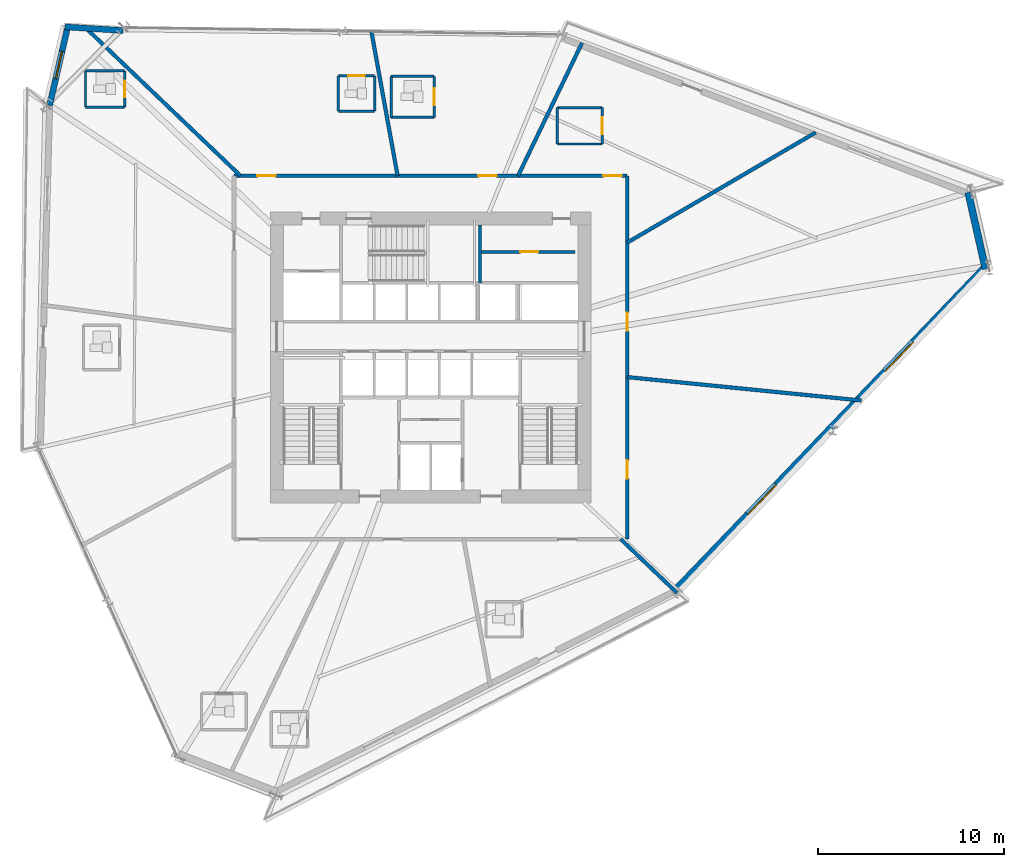
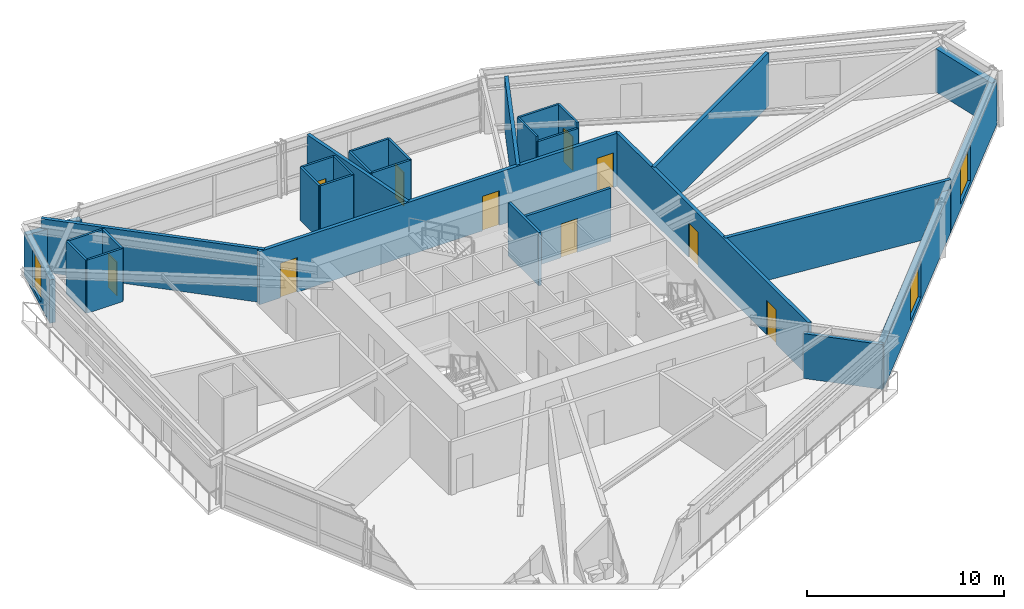
# One storey, part 16 of 22: 30 walls, 10 doors, 3 windows, 13 openings.
"""IFC4 building model written with IfcOpenShell, lengths in metres."""

from ifc_helpers import new_model, si_unit, direction, frame, frame_2d, origin, place, context, subcontext, project, spatial, rectangle, extrude, source, transform, mapped, material, layer, layer_set, type_object, type_shapes, element, fill, save


model = new_model("IFC4")

# Units and contexts
model_context = context("Model", 3, precision=1e-05, world=origin(), true_north=direction((0.0, 1.0)))
body_context = subcontext(model_context, "Body", "Model", "MODEL_VIEW")
ifc_project = project(units=[si_unit("LENGTHUNIT", "METRE"), si_unit("AREAUNIT", "SQUARE_METRE"), si_unit("VOLUMEUNIT", "CUBIC_METRE"), si_unit("PLANEANGLEUNIT", "RADIAN"), si_unit("MASSUNIT", "GRAM", prefix="KILO")], contexts=[model_context])

# Site, building, storey
site_placement = place(None, origin())
site = spatial("IfcSite", under=ifc_project, at=site_placement, CompositionType="ELEMENT")
building_placement = place(site_placement, origin())
building = spatial("IfcBuilding", under=site, at=building_placement, Name="Olszyna Solenne Hotel", CompositionType="ELEMENT")
storey_placement = place(building_placement, frame((0.0, 0.0, 87.949951171875)))
storey = spatial("IfcBuildingStorey", under=building, at=storey_placement, Name="L22", CompositionType="ELEMENT", Elevation=87.949951171875)

# Wall, opening, window
ifc_material_1 = material(Name="Precast concrete C45/55", Category="concrete")
ifc_layer_1 = layer(ifc_material_1, 0.320068359375, Name="Precast concrete C45/55")
ifc_layer_set_1 = layer_set([ifc_layer_1], Name="Precast concrete C45/55")
wall_type_1 = type_object("IfcWallType", Name="WL-EX320", PredefinedType="SOLIDWALL", material=ifc_layer_set_1)
wall_1_placement = place(storey_placement, frame((17.552001953125, 40.126708984375, 0.0), z_axis=(0.0, 0.0, 1.0), x_axis=(0.224138842534, 0.974557222162, 0.0)))
wall_1 = element("IfcWall", 1, at=wall_1_placement, inside=storey, type_object=wall_type_1, Name="Exterior terracotta-precast frame wall WL-EX320 EW-L22-05", PredefinedType="SOLIDWALL", context=body_context, shape_type="SweptSolid", body=[
    extrude(rectangle(XDim=4.453857421875, YDim=0.320068359375, at=frame_2d((2.22705078125, 0.0))), origin(), (0.0, 0.0, 1.0), 2.692138671875),
])
opening_1_placement = place(wall_1_placement, frame((1.47705078125, 0.0, 0.27197265625)))
opening_1 = element("IfcOpeningElement", 2, at=opening_1_placement, cuts=wall_1, Name="Opening WN-L22-117", PredefinedType="OPENING", context=body_context, shape_type="SweptSolid", body=[
    extrude(rectangle(XDim=1.5, YDim=2.300048828125, at=frame_2d((0.75, 1.14990234375))), frame((0.0, 0.169921875, 0.0), z_axis=(0.0, -1.0, 0.0), x_axis=(1.0, 0.0, 0.0)), (0.0, 0.0, 1.0), 0.340087890625),
])
ifc_material_2 = material(Name="Low-E triple glazing", Category="glass")
window_type_1 = type_object("IfcWindowType", Name="WN-CH1", PartitioningType="SINGLE_PANEL", PredefinedType="WINDOW", material=ifc_material_2)
shared_shape_1 = source(origin(), body_context, "Body", "SweptSolid", [
    extrude(rectangle(XDim=1.5, YDim=2.300048828125, at=frame_2d((0.75, 1.14990234375))), frame((0.0, 0.030029296875, 0.0), z_axis=(0.0, -1.0, 0.0), x_axis=(1.0, 0.0, 0.0)), (0.0, 0.0, 1.0), 0.06005859375),
])
type_shapes(window_type_1, [shared_shape_1])
window_1_placement = place(opening_1_placement, origin())
window_1 = element("IfcWindow", 3, at=window_1_placement, inside=storey, type_object=window_type_1, Name="Exterior facade window WN-CH1 WN-L22-117", OverallHeight=2.300048828125, OverallWidth=1.5, PartitioningType="SINGLE_PANEL", PredefinedType="WINDOW", context=body_context, shape_type="MappedRepresentation", body=[
    mapped(shared_shape_1, transform((0.0, 0.0, 0.0), x_axis=(1.0, 0.0, 0.0), y_axis=(0.0, 1.0, 0.0), z_axis=(0.0, 0.0, 1.0), scale=1.0)),
])
fill(opening_1, window_1)

# Walls
wall_2_placement = place(storey_placement, frame((18.38427734375, 44.343505859375, 0.0), z_axis=(0.0, 0.0, 1.0), x_axis=(0.997943597701, -0.064098173203, 0.0)))
element("IfcWall", 4, at=wall_2_placement, inside=storey, type_object=wall_type_1, Name="Exterior terracotta-precast frame wall WL-EX320 EW-L22-06", PredefinedType="SOLIDWALL", context=body_context, shape_type="SweptSolid", body=[
    extrude(rectangle(XDim=3.119384765625, YDim=0.320068359375, at=frame_2d((1.5595703125, 0.0))), origin(), (0.0, 0.0, 1.0), 2.692138671875),
])
ifc_material_3 = material(Name="Terracotta cladding on precast concrete C45/55", Category="masonry")
ifc_layer_2 = layer(ifc_material_3, 0.3798828125, Name="Terracotta cladding on precast concrete C45/55")
ifc_layer_set_2 = layer_set([ifc_layer_2], Name="Terracotta cladding on precast concrete C45/55")
wall_type_2 = type_object("IfcWallType", Name="WL-EX380", PredefinedType="SOLIDWALL", material=ifc_layer_set_2)
wall_3_placement = place(storey_placement, frame((66.847900390625, 35.4560546875, 0.0), z_axis=(0.0, 0.0, 1.0), x_axis=(0.220711162904, -0.975339214104, 0.0)))
element("IfcWall", 5, at=wall_3_placement, inside=storey, type_object=wall_type_2, Name="Exterior terracotta-precast frame wall WL-EX380 EW-L22-09", PredefinedType="SOLIDWALL", context=body_context, shape_type="SweptSolid", body=[
    extrude(rectangle(XDim=4.2099609375, YDim=0.3798828125, at=frame_2d((2.10498046875, 0.0))), origin(), (0.0, 0.0, 1.0), 2.692138671875),
])

# Wall, openings, windows
wall_4_placement = place(storey_placement, frame((67.8251953125, 31.523193359375, 0.0), z_axis=(0.0, 0.0, 1.0), x_axis=(-0.692033359157, -0.721865520588, 0.0)))
wall_4 = element("IfcWall", 6, at=wall_4_placement, inside=storey, type_object=wall_type_2, Name="Exterior terracotta-precast frame wall WL-EX380 EW-L22-10", PredefinedType="SOLIDWALL", context=body_context, shape_type="SweptSolid", body=[
    extrude(rectangle(XDim=24.150390625, YDim=0.3798828125, at=frame_2d((12.0751953125, 0.0))), origin(), (0.0, 0.0, 1.0), 2.692138671875),
])
opening_2_placement = place(wall_4_placement, frame((5.662109375, 0.0, 0.322021484375)))
opening_2 = element("IfcOpeningElement", 7, at=opening_2_placement, cuts=wall_4, Name="Opening WN-L22-119", PredefinedType="OPENING", context=body_context, shape_type="SweptSolid", body=[
    extrude(rectangle(XDim=2.199951171875, YDim=2.25, at=frame_2d((1.10009765625, 1.125))), frame((0.0, 0.199951171875, 0.0), z_axis=(0.0, -1.0, 0.0), x_axis=(1.0, 0.0, 0.0)), (0.0, 0.0, 1.0), 0.39990234375),
])
opening_3_placement = place(wall_4_placement, frame((16.2880859375, 0.0, 0.322021484375)))
opening_3 = element("IfcOpeningElement", 8, at=opening_3_placement, cuts=wall_4, Name="Opening WN-L22-120", PredefinedType="OPENING", context=body_context, shape_type="SweptSolid", body=[
    extrude(rectangle(XDim=2.199951171875, YDim=2.25, at=frame_2d((1.10009765625, 1.125))), frame((0.0, 0.199951171875, 0.0), z_axis=(0.0, -1.0, 0.0), x_axis=(1.0, 0.0, 0.0)), (0.0, 0.0, 1.0), 0.39990234375),
])
window_type_2 = type_object("IfcWindowType", Name="WN-HT2", PartitioningType="SINGLE_PANEL", PredefinedType="WINDOW", material=ifc_material_2)
shared_shape_2 = source(origin(), body_context, "Body", "SweptSolid", [
    extrude(rectangle(XDim=2.199951171875, YDim=2.25, at=frame_2d((1.10009765625, 1.125))), frame((0.0, 0.030029296875, 0.0), z_axis=(0.0, -1.0, 0.0), x_axis=(1.0, 0.0, 0.0)), (0.0, 0.0, 1.0), 0.06005859375),
])
type_shapes(window_type_2, [shared_shape_2])
window_2_placement = place(opening_2_placement, origin())
window_2 = element("IfcWindow", 9, at=window_2_placement, inside=storey, type_object=window_type_2, Name="Exterior facade window WN-HT2 WN-L22-119", OverallHeight=2.25, OverallWidth=2.199951171875, PartitioningType="SINGLE_PANEL", PredefinedType="WINDOW", context=body_context, shape_type="MappedRepresentation", body=[
    mapped(shared_shape_2, transform((0.0, 0.0, 0.0), x_axis=(1.0, 0.0, 0.0), y_axis=(0.0, 1.0, 0.0), z_axis=(0.0, 0.0, 1.0), scale=1.0)),
])
fill(opening_2, window_2)
window_3_placement = place(opening_3_placement, origin())
window_3 = element("IfcWindow", 10, at=window_3_placement, inside=storey, type_object=window_type_2, Name="Exterior facade window WN-HT2 WN-L22-120", OverallHeight=2.25, OverallWidth=2.199951171875, PartitioningType="SINGLE_PANEL", PredefinedType="WINDOW", context=body_context, shape_type="MappedRepresentation", body=[
    mapped(shared_shape_2, transform((0.0, 0.0, 0.0), x_axis=(1.0, 0.0, 0.0), y_axis=(0.0, 1.0, 0.0), z_axis=(0.0, 0.0, 1.0), scale=1.0)),
])
fill(opening_3, window_3)

# Wall, opening, door
ifc_material_4 = material(Name="Acoustic gypsum partition", Category="gypsum")
ifc_layer_3 = layer(ifc_material_4, 0.125, Name="Acoustic gypsum partition")
ifc_layer_set_3 = layer_set([ifc_layer_3], Name="Acoustic gypsum partition")
wall_type_3 = type_object("IfcWallType", Name="WL-PT125", PredefinedType="PARTITIONING", material=ifc_layer_set_3)
wall_5_placement = place(storey_placement, frame((38.18505859375, 39.490966796875, 0.0), z_axis=(0.0, 0.0, 1.0), x_axis=(0.0, 1.0, 0.0)))
wall_5 = element("IfcWall", 11, at=wall_5_placement, inside=storey, type_object=wall_type_3, Name="Interior acoustic partition WL-PT125 PW-L22-1233", PredefinedType="PARTITIONING", context=body_context, shape_type="SweptSolid", body=[
    extrude(rectangle(XDim=2.199951171875, YDim=0.125, at=frame_2d((1.10009765625, 0.0))), origin(), (0.0, 0.0, 1.0), 3.300048828125),
])
opening_4_placement = place(wall_5_placement, frame((0.64990234375, 0.0, 0.0)))
opening_4 = element("IfcOpeningElement", 12, at=opening_4_placement, cuts=wall_5, Name="Opening DR-L22-0282", PredefinedType="OPENING", context=body_context, shape_type="SweptSolid", body=[
    extrude(rectangle(XDim=0.89990234375, YDim=2.10009765625, at=frame_2d((0.449951171875, 1.050048828125))), frame((0.0, 0.072509765625, 0.0), z_axis=(0.0, -1.0, 0.0), x_axis=(1.0, 0.0, 0.0)), (0.0, 0.0, 1.0), 0.14501953125),
])
ifc_material_5 = material(Name="Timber hardwood", Category="wood")
door_type_1 = type_object("IfcDoorType", Name="DR-WC1", OperationType="NOTDEFINED", PredefinedType="DOOR", material=ifc_material_5)
shared_shape_3 = source(origin(), body_context, "Body", "SweptSolid", [
    extrude(rectangle(XDim=0.89990234375, YDim=2.10009765625, at=frame_2d((0.449951171875, 1.050048828125))), frame((0.0, 0.02490234375, 0.0), z_axis=(0.0, -1.0, 0.0), x_axis=(1.0, 0.0, 0.0)), (0.0, 0.0, 1.0), 0.050048828125),
])
type_shapes(door_type_1, [shared_shape_3])
door_1_placement = place(opening_4_placement, origin())
door_1 = element("IfcDoor", 13, at=door_1_placement, inside=storey, type_object=door_type_1, Name="En-Suite Bathroom Door DR-L22-0282", OperationType="SINGLE_SWING_LEFT", OverallHeight=2.10009765625, OverallWidth=0.89990234375, PredefinedType="DOOR", context=body_context, shape_type="MappedRepresentation", body=[
    mapped(shared_shape_3, transform((0.0, 0.0, 0.0), x_axis=(1.0, 0.0, 0.0), y_axis=(0.0, 1.0, 0.0), z_axis=(0.0, 0.0, 1.0), scale=1.0)),
])
fill(opening_4, door_1)

# Walls
wall_6_placement = place(storey_placement, frame((38.18505859375, 41.69091796875, 0.0), z_axis=(0.0, 0.0, 1.0), x_axis=(-1.0, 0.0, 0.0)))
element("IfcWall", 14, at=wall_6_placement, inside=storey, type_object=wall_type_3, Name="Interior acoustic partition WL-PT125 PW-L22-1234", PredefinedType="PARTITIONING", context=body_context, shape_type="SweptSolid", body=[
    extrude(rectangle(XDim=2.300048828125, YDim=0.125, at=frame_2d((1.14990234375, 0.0))), origin(), (0.0, 0.0, 1.0), 3.300048828125),
])
wall_7_placement = place(storey_placement, frame((35.885009765625, 41.69091796875, 0.0), z_axis=(0.0, 0.0, 1.0), x_axis=(0.0, -1.0, 0.0)))
element("IfcWall", 15, at=wall_7_placement, inside=storey, type_object=wall_type_3, Name="Interior acoustic partition WL-PT125 PW-L22-1235", PredefinedType="PARTITIONING", context=body_context, shape_type="SweptSolid", body=[
    extrude(rectangle(XDim=2.199951171875, YDim=0.125, at=frame_2d((1.10009765625, 0.0))), origin(), (0.0, 0.0, 1.0), 3.300048828125),
])
wall_8_placement = place(storey_placement, frame((35.885009765625, 39.490966796875, 0.0), z_axis=(0.0, 0.0, 1.0), x_axis=(1.0, 0.0, 0.0)))
element("IfcWall", 16, at=wall_8_placement, inside=storey, type_object=wall_type_3, Name="Interior acoustic partition WL-PT125 PW-L22-1236", PredefinedType="PARTITIONING", context=body_context, shape_type="SweptSolid", body=[
    extrude(rectangle(XDim=2.300048828125, YDim=0.125, at=frame_2d((1.14990234375, 0.0))), origin(), (0.0, 0.0, 1.0), 3.300048828125),
])
wall_9_placement = place(storey_placement, frame((34.993896484375, 39.81494140625, 0.0), z_axis=(0.0, 0.0, 1.0), x_axis=(0.0, 1.0, 0.0)))
element("IfcWall", 17, at=wall_9_placement, inside=storey, type_object=wall_type_3, Name="Interior acoustic partition WL-PT125 PW-L22-1237", PredefinedType="PARTITIONING", context=body_context, shape_type="SweptSolid", body=[
    extrude(rectangle(XDim=1.900146484375, YDim=0.125, at=frame_2d((0.9501953125, 0.0))), origin(), (0.0, 0.0, 1.0), 3.300048828125),
])

# Wall, opening, door
wall_10_placement = place(storey_placement, frame((34.993896484375, 41.715087890625, 0.0), z_axis=(0.0, 0.0, 1.0), x_axis=(-1.0, 0.0, 0.0)))
wall_10 = element("IfcWall", 18, at=wall_10_placement, inside=storey, type_object=wall_type_3, Name="Interior acoustic partition WL-PT125 PW-L22-1238", PredefinedType="PARTITIONING", context=body_context, shape_type="SweptSolid", body=[
    extrude(rectangle(XDim=1.949951171875, YDim=0.125, at=frame_2d((0.97509765625, 0.0))), origin(), (0.0, 0.0, 1.0), 3.300048828125),
])
opening_5_placement = place(wall_10_placement, frame((0.52490234375, 0.0, 0.0)))
opening_5 = element("IfcOpeningElement", 19, at=opening_5_placement, cuts=wall_10, Name="Opening DR-L22-0283", PredefinedType="OPENING", context=body_context, shape_type="SweptSolid", body=[
    extrude(rectangle(XDim=0.89990234375, YDim=2.10009765625, at=frame_2d((0.449951171875, 1.050048828125))), frame((0.0, 0.072509765625, 0.0), z_axis=(0.0, -1.0, 0.0), x_axis=(1.0, 0.0, 0.0)), (0.0, 0.0, 1.0), 0.14501953125),
])
door_2_placement = place(opening_5_placement, origin())
door_2 = element("IfcDoor", 20, at=door_2_placement, inside=storey, type_object=door_type_1, Name="En-Suite Bathroom Door DR-L22-0283", OperationType="SINGLE_SWING_RIGHT", OverallHeight=2.10009765625, OverallWidth=0.89990234375, PredefinedType="DOOR", context=body_context, shape_type="MappedRepresentation", body=[
    mapped(shared_shape_3, transform((0.0, 0.0, 0.0), x_axis=(1.0, 0.0, 0.0), y_axis=(0.0, 1.0, 0.0), z_axis=(0.0, 0.0, 1.0), scale=1.0)),
])
fill(opening_5, door_2)

# Walls
wall_11_placement = place(storey_placement, frame((33.0439453125, 41.715087890625, 0.0), z_axis=(0.0, 0.0, 1.0), x_axis=(0.0, -1.0, 0.0)))
element("IfcWall", 21, at=wall_11_placement, inside=storey, type_object=wall_type_3, Name="Interior acoustic partition WL-PT125 PW-L22-1239", PredefinedType="PARTITIONING", context=body_context, shape_type="SweptSolid", body=[
    extrude(rectangle(XDim=1.900146484375, YDim=0.125, at=frame_2d((0.9501953125, 0.0))), origin(), (0.0, 0.0, 1.0), 3.300048828125),
])
wall_12_placement = place(storey_placement, frame((33.0439453125, 39.81494140625, 0.0), z_axis=(0.0, 0.0, 1.0), x_axis=(1.0, 0.0, 0.0)))
element("IfcWall", 22, at=wall_12_placement, inside=storey, type_object=wall_type_3, Name="Interior acoustic partition WL-PT125 PW-L22-1240", PredefinedType="PARTITIONING", context=body_context, shape_type="SweptSolid", body=[
    extrude(rectangle(XDim=1.949951171875, YDim=0.125, at=frame_2d((0.97509765625, 0.0))), origin(), (0.0, 0.0, 1.0), 3.300048828125),
])

# Wall, opening, door
wall_13_placement = place(storey_placement, frame((21.577880859375, 40.034912109375, 0.0), z_axis=(0.0, 0.0, 1.0), x_axis=(0.0, 1.0, 0.0)))
wall_13 = element("IfcWall", 23, at=wall_13_placement, inside=storey, type_object=wall_type_3, Name="Interior acoustic partition WL-PT125 PW-L22-1241", PredefinedType="PARTITIONING", context=body_context, shape_type="SweptSolid", body=[
    extrude(rectangle(XDim=1.9501953125, YDim=0.125, at=frame_2d((0.97509765625, 0.0))), origin(), (0.0, 0.0, 1.0), 3.300048828125),
])
opening_6_placement = place(wall_13_placement, frame((0.52490234375, 0.0, 0.0)))
opening_6 = element("IfcOpeningElement", 24, at=opening_6_placement, cuts=wall_13, Name="Opening DR-L22-0284", PredefinedType="OPENING", context=body_context, shape_type="SweptSolid", body=[
    extrude(rectangle(XDim=0.89990234375, YDim=2.10009765625, at=frame_2d((0.449951171875, 1.050048828125))), frame((0.0, 0.072509765625, 0.0), z_axis=(0.0, -1.0, 0.0), x_axis=(1.0, 0.0, 0.0)), (0.0, 0.0, 1.0), 0.14501953125),
])
door_3_placement = place(opening_6_placement, origin())
door_3 = element("IfcDoor", 25, at=door_3_placement, inside=storey, type_object=door_type_1, Name="En-Suite Bathroom Door DR-L22-0284", OperationType="SINGLE_SWING_LEFT", OverallHeight=2.10009765625, OverallWidth=0.89990234375, PredefinedType="DOOR", context=body_context, shape_type="MappedRepresentation", body=[
    mapped(shared_shape_3, transform((0.0, 0.0, 0.0), x_axis=(1.0, 0.0, 0.0), y_axis=(0.0, 1.0, 0.0), z_axis=(0.0, 0.0, 1.0), scale=1.0)),
])
fill(opening_6, door_3)

# Walls
wall_14_placement = place(storey_placement, frame((21.577880859375, 41.985107421875, 0.0), z_axis=(0.0, 0.0, 1.0), x_axis=(-1.0, 0.0, 0.0)))
element("IfcWall", 26, at=wall_14_placement, inside=storey, type_object=wall_type_3, Name="Interior acoustic partition WL-PT125 PW-L22-1242", PredefinedType="PARTITIONING", context=body_context, shape_type="SweptSolid", body=[
    extrude(rectangle(XDim=2.099853515625, YDim=0.125, at=frame_2d((1.0498046875, 0.0))), origin(), (0.0, 0.0, 1.0), 3.300048828125),
])
wall_15_placement = place(storey_placement, frame((19.47802734375, 41.985107421875, 0.0), z_axis=(0.0, 0.0, 1.0), x_axis=(0.0, -1.0, 0.0)))
element("IfcWall", 27, at=wall_15_placement, inside=storey, type_object=wall_type_3, Name="Interior acoustic partition WL-PT125 PW-L22-1243", PredefinedType="PARTITIONING", context=body_context, shape_type="SweptSolid", body=[
    extrude(rectangle(XDim=1.9501953125, YDim=0.125, at=frame_2d((0.97509765625, 0.0))), origin(), (0.0, 0.0, 1.0), 3.300048828125),
])
wall_16_placement = place(storey_placement, frame((19.47802734375, 40.034912109375, 0.0), z_axis=(0.0, 0.0, 1.0), x_axis=(1.0, 0.0, 0.0)))
element("IfcWall", 28, at=wall_16_placement, inside=storey, type_object=wall_type_3, Name="Interior acoustic partition WL-PT125 PW-L22-1244", PredefinedType="PARTITIONING", context=body_context, shape_type="SweptSolid", body=[
    extrude(rectangle(XDim=2.099853515625, YDim=0.125, at=frame_2d((1.0498046875, 0.0))), origin(), (0.0, 0.0, 1.0), 3.300048828125),
])

# Wall, opening, door
wall_17_placement = place(storey_placement, frame((47.201904296875, 38.06103515625, 0.0), z_axis=(0.0, 0.0, 1.0), x_axis=(0.0, 1.0, 0.0)))
wall_17 = element("IfcWall", 29, at=wall_17_placement, inside=storey, type_object=wall_type_3, Name="Interior acoustic partition WL-PT125 PW-L22-1261", PredefinedType="PARTITIONING", context=body_context, shape_type="SweptSolid", body=[
    extrude(rectangle(XDim=1.949951171875, YDim=0.125, at=frame_2d((0.97509765625, 0.0))), origin(), (0.0, 0.0, 1.0), 3.300048828125),
])
opening_7_placement = place(wall_17_placement, frame((0.52490234375, 0.0, 0.0)))
opening_7 = element("IfcOpeningElement", 30, at=opening_7_placement, cuts=wall_17, Name="Opening DR-L22-0289", PredefinedType="OPENING", context=body_context, shape_type="SweptSolid", body=[
    extrude(rectangle(XDim=0.89990234375, YDim=2.10009765625, at=frame_2d((0.449951171875, 1.050048828125))), frame((0.0, 0.072509765625, 0.0), z_axis=(0.0, -1.0, 0.0), x_axis=(1.0, 0.0, 0.0)), (0.0, 0.0, 1.0), 0.14501953125),
])
door_4_placement = place(opening_7_placement, origin())
door_4 = element("IfcDoor", 31, at=door_4_placement, inside=storey, type_object=door_type_1, Name="En-Suite Bathroom Door DR-L22-0289", OperationType="SINGLE_SWING_LEFT", OverallHeight=2.10009765625, OverallWidth=0.89990234375, PredefinedType="DOOR", context=body_context, shape_type="MappedRepresentation", body=[
    mapped(shared_shape_3, transform((0.0, 0.0, 0.0), x_axis=(1.0, 0.0, 0.0), y_axis=(0.0, 1.0, 0.0), z_axis=(0.0, 0.0, 1.0), scale=1.0)),
])
fill(opening_7, door_4)

# Walls
wall_18_placement = place(storey_placement, frame((47.201904296875, 40.010986328125, 0.0), z_axis=(0.0, 0.0, 1.0), x_axis=(-1.0, 0.0, 0.0)))
element("IfcWall", 32, at=wall_18_placement, inside=storey, type_object=wall_type_3, Name="Interior acoustic partition WL-PT125 PW-L22-1262", PredefinedType="PARTITIONING", context=body_context, shape_type="SweptSolid", body=[
    extrude(rectangle(XDim=2.39990234375, YDim=0.125, at=frame_2d((1.199951171875, 0.0))), origin(), (0.0, 0.0, 1.0), 3.300048828125),
])
wall_19_placement = place(storey_placement, frame((44.802001953125, 40.010986328125, 0.0), z_axis=(0.0, 0.0, 1.0), x_axis=(0.0, -1.0, 0.0)))
element("IfcWall", 33, at=wall_19_placement, inside=storey, type_object=wall_type_3, Name="Interior acoustic partition WL-PT125 PW-L22-1263", PredefinedType="PARTITIONING", context=body_context, shape_type="SweptSolid", body=[
    extrude(rectangle(XDim=1.949951171875, YDim=0.125, at=frame_2d((0.97509765625, 0.0))), origin(), (0.0, 0.0, 1.0), 3.300048828125),
])
wall_20_placement = place(storey_placement, frame((44.802001953125, 38.06103515625, 0.0), z_axis=(0.0, 0.0, 1.0), x_axis=(1.0, 0.0, 0.0)))
element("IfcWall", 34, at=wall_20_placement, inside=storey, type_object=wall_type_3, Name="Interior acoustic partition WL-PT125 PW-L22-1264", PredefinedType="PARTITIONING", context=body_context, shape_type="SweptSolid", body=[
    extrude(rectangle(XDim=2.39990234375, YDim=0.125, at=frame_2d((1.199951171875, 0.0))), origin(), (0.0, 0.0, 1.0), 2.985107421875),
])
ifc_layer_4 = layer(ifc_material_4, 0.159912109375, Name="Acoustic gypsum partition")
ifc_layer_set_4 = layer_set([ifc_layer_4], Name="Acoustic gypsum partition")
wall_type_4 = type_object("IfcWallType", Name="WL-PT160", PredefinedType="PARTITIONING", material=ifc_layer_set_4)
wall_21_placement = place(storey_placement, frame((40.659912109375, 30.60009765625, 0.0), z_axis=(0.0, 0.0, 1.0), x_axis=(0.0, 1.0, 0.0)))
element("IfcWall", 35, at=wall_21_placement, inside=storey, type_object=wall_type_4, Name="Core shaft compartment wall CW-L22-ST3E", PredefinedType="PARTITIONING", context=body_context, shape_type="SweptSolid", body=[
    extrude(rectangle(XDim=3.099853515625, YDim=0.159912109375, at=frame_2d((1.5498046875, 0.0))), origin(), (0.0, 0.0, 1.0), 3.300048828125),
])

# Wall, opening, door
wall_22_placement = place(storey_placement, frame((40.719970703125, 32.27001953125, 0.0), z_axis=(0.0, 0.0, 1.0), x_axis=(1.0, 0.0, 0.0)))
wall_22 = element("IfcWall", 36, at=wall_22_placement, inside=storey, type_object=wall_type_4, Name="Core shaft compartment wall CW-L22-BOH2", PredefinedType="PARTITIONING", context=body_context, shape_type="SweptSolid", body=[
    extrude(rectangle(XDim=5.030029296875, YDim=0.159912109375, at=frame_2d((2.51513671875, 0.0))), origin(), (0.0, 0.0, 1.0), 3.300048828125),
])
opening_8_placement = place(wall_22_placement, frame((2.10009765625, 0.0, 0.0)))
opening_8 = element("IfcOpeningElement", 37, at=opening_8_placement, cuts=wall_22, Name="Opening SVD-L22-BI2", PredefinedType="OPENING", context=body_context, shape_type="SweptSolid", body=[
    extrude(rectangle(XDim=0.949951171875, YDim=2.10009765625, at=frame_2d((0.47509765625, 1.050048828125))), frame((0.0, 0.08984375, 0.0), z_axis=(0.0, -1.0, 0.0), x_axis=(1.0, 0.0, 0.0)), (0.0, 0.0, 1.0), 0.179931640625),
])
ifc_material_6 = material(Name="Steel S355J2", Category="steel")
door_type_2 = type_object("IfcDoorType", Name="DR-SV1", OperationType="NOTDEFINED", PredefinedType="DOOR", material=ifc_material_6)
shared_shape_4 = source(origin(), body_context, "Body", "SweptSolid", [
    extrude(rectangle(XDim=0.949951171875, YDim=2.10009765625, at=frame_2d((0.47509765625, 1.050048828125))), frame((0.0, 0.02490234375, 0.0), z_axis=(0.0, -1.0, 0.0), x_axis=(1.0, 0.0, 0.0)), (0.0, 0.0, 1.0), 0.050048828125),
])
type_shapes(door_type_2, [shared_shape_4])
door_5_placement = place(opening_8_placement, origin())
door_5 = element("IfcDoor", 38, at=door_5_placement, inside=storey, type_object=door_type_2, Name="BOH inter-room fire door SVD-L22-BI2", OperationType="SINGLE_SWING_RIGHT", OverallHeight=2.10009765625, OverallWidth=0.949951171875, PredefinedType="DOOR", context=body_context, shape_type="MappedRepresentation", body=[
    mapped(shared_shape_4, transform((0.0, 0.0, 0.0), x_axis=(1.0, 0.0, 0.0), y_axis=(0.0, 1.0, 0.0), z_axis=(0.0, 0.0, 1.0), scale=1.0)),
])
fill(opening_8, door_5)

# Walls
ifc_layer_5 = layer(ifc_material_4, 0.199951171875, Name="Acoustic gypsum partition")
ifc_layer_set_5 = layer_set([ifc_layer_5], Name="Acoustic gypsum partition")
wall_type_5 = type_object("IfcWallType", Name="WL-PT200", PredefinedType="PARTITIONING", material=ifc_layer_set_5)
wall_23_placement = place(storey_placement, frame((42.6923828125, 36.35009765625, 0.0), z_axis=(0.0, 0.0, 1.0), x_axis=(0.433653174923, 0.901079865428, 0.0)))
element("IfcWall", 39, at=wall_23_placement, inside=storey, type_object=wall_type_5, Name="Interior acoustic partition WL-PT200 PW-L22-1223", PredefinedType="PARTITIONING", context=body_context, shape_type="SweptSolid", body=[
    extrude(rectangle(XDim=7.908203125, YDim=0.199951171875, at=frame_2d((3.9541015625, 0.0))), origin(), (0.0, 0.0, 1.0), 3.300048828125),
])
wall_24_placement = place(storey_placement, frame((36.22802734375, 36.35009765625, 0.0), z_axis=(0.0, 0.0, 1.0), x_axis=(-0.178797659558, 0.983885865808, 0.0)))
element("IfcWall", 40, at=wall_24_placement, inside=storey, type_object=wall_type_5, Name="Interior acoustic partition WL-PT200 PW-L22-1224", PredefinedType="PARTITIONING", context=body_context, shape_type="SweptSolid", body=[
    extrude(rectangle(XDim=7.832275390625, YDim=0.199951171875, at=frame_2d((3.916015625, 0.0))), origin(), (0.0, 0.0, 1.0), 3.300048828125),
])
wall_25_placement = place(storey_placement, frame((27.797119140625, 36.35009765625, 0.0), z_axis=(0.0, 0.0, 1.0), x_axis=(-0.722973968358, 0.690875271722, 0.0)))
element("IfcWall", 41, at=wall_25_placement, inside=storey, type_object=wall_type_5, Name="Interior acoustic partition WL-PT200 PW-L22-1225", PredefinedType="PARTITIONING", context=body_context, shape_type="SweptSolid", body=[
    extrude(rectangle(XDim=11.66748046875, YDim=0.199951171875, at=frame_2d((5.833740234375, 0.0))), origin(), (0.0, 0.0, 1.0), 3.300048828125),
])
wall_26_placement = place(storey_placement, frame((48.202880859375, 16.85009765625, 0.0), z_axis=(0.0, 0.0, 1.0), x_axis=(0.722962702981, -0.690887060306, 0.0)))
element("IfcWall", 42, at=wall_26_placement, inside=storey, type_object=wall_type_5, Name="Interior acoustic partition WL-PT200 PW-L22-1230", PredefinedType="PARTITIONING", context=body_context, shape_type="SweptSolid", body=[
    extrude(rectangle(XDim=4.163330078125, YDim=0.199951171875, at=frame_2d((2.08154296875, 0.0))), origin(), (0.0, 0.0, 1.0), 2.78515625),
])
wall_27_placement = place(storey_placement, frame((48.550048828125, 25.547119140625, 0.0), z_axis=(0.0, 0.0, 1.0), x_axis=(0.99505383016, -0.099337178762, 0.0)))
element("IfcWall", 43, at=wall_27_placement, inside=storey, type_object=wall_type_5, Name="Interior acoustic partition WL-PT200 PW-L22-1231", PredefinedType="PARTITIONING", context=body_context, shape_type="SweptSolid", body=[
    extrude(rectangle(XDim=12.627685546875, YDim=0.199951171875, at=frame_2d((6.31396484375, 0.0))), origin(), (0.0, 0.0, 1.0), 3.300048828125),
])
wall_28_placement = place(storey_placement, frame((48.550048828125, 32.764892578125, 0.0), z_axis=(0.0, 0.0, 1.0), x_axis=(0.863388457007, 0.50453976286, 0.0)))
element("IfcWall", 44, at=wall_28_placement, inside=storey, type_object=wall_type_5, Name="Interior acoustic partition WL-PT200 PW-L22-1232", PredefinedType="PARTITIONING", context=body_context, shape_type="SweptSolid", body=[
    extrude(rectangle(XDim=11.710205078125, YDim=0.199951171875, at=frame_2d((5.85498046875, 0.0))), origin(), (0.0, 0.0, 1.0), 3.300048828125),
])

# Wall, openings, doors
wall_29_placement = place(storey_placement, frame((27.449951171875, 36.35009765625, 0.0), z_axis=(0.0, 0.0, 1.0), x_axis=(1.0, 0.0, 0.0)))
wall_29 = element("IfcWall", 45, at=wall_29_placement, inside=storey, type_object=wall_type_5, Name="Interior acoustic partition WL-PT200 PW-L22-1267", PredefinedType="PARTITIONING", context=body_context, shape_type="SweptSolid", body=[
    extrude(rectangle(XDim=21.10009765625, YDim=0.199951171875, at=frame_2d((10.550048828125, 0.0))), origin(), (0.0, 0.0, 1.0), 3.300048828125),
])
opening_9_placement = place(wall_29_placement, frame((13.10888671875, 0.0, 0.0)))
opening_9 = element("IfcOpeningElement", 46, at=opening_9_placement, cuts=wall_29, Name="Opening DR-L22-0295", PredefinedType="OPENING", context=body_context, shape_type="SweptSolid", body=[
    extrude(rectangle(XDim=0.97998046875, YDim=2.14990234375, at=frame_2d((0.489990234375, 1.074951171875))), frame((0.0, 0.10986328125, 0.0), z_axis=(0.0, -1.0, 0.0), x_axis=(1.0, 0.0, 0.0)), (0.0, 0.0, 1.0), 0.219970703125),
])
opening_10_placement = place(wall_29_placement, frame((1.25, 0.0, 0.0)))
opening_10 = element("IfcOpeningElement", 47, at=opening_10_placement, cuts=wall_29, Name="Opening DR-L22-0296", PredefinedType="OPENING", context=body_context, shape_type="SweptSolid", body=[
    extrude(rectangle(XDim=0.97998046875, YDim=2.14990234375, at=frame_2d((0.489990234375, 1.074951171875))), frame((0.0, 0.10986328125, 0.0), z_axis=(0.0, -1.0, 0.0), x_axis=(1.0, 0.0, 0.0)), (0.0, 0.0, 1.0), 0.219970703125),
])
opening_11_placement = place(wall_29_placement, frame((19.820068359375, 0.0, 0.0)))
opening_11 = element("IfcOpeningElement", 48, at=opening_11_placement, cuts=wall_29, Name="Opening DR-L22-0297", PredefinedType="OPENING", context=body_context, shape_type="SweptSolid", body=[
    extrude(rectangle(XDim=0.97998046875, YDim=2.14990234375, at=frame_2d((0.489990234375, 1.074951171875))), frame((0.0, 0.10986328125, 0.0), z_axis=(0.0, -1.0, 0.0), x_axis=(1.0, 0.0, 0.0)), (0.0, 0.0, 1.0), 0.219970703125),
])
door_type_3 = type_object("IfcDoorType", Name="DR-RM1", OperationType="NOTDEFINED", PredefinedType="DOOR", material=ifc_material_5)
shared_shape_5 = source(origin(), body_context, "Body", "SweptSolid", [
    extrude(rectangle(XDim=0.97998046875, YDim=2.14990234375, at=frame_2d((0.489990234375, 1.074951171875))), frame((0.0, 0.02490234375, 0.0), z_axis=(0.0, -1.0, 0.0), x_axis=(1.0, 0.0, 0.0)), (0.0, 0.0, 1.0), 0.050048828125),
])
type_shapes(door_type_3, [shared_shape_5])
door_6_placement = place(opening_9_placement, origin())
door_6 = element("IfcDoor", 49, at=door_6_placement, inside=storey, type_object=door_type_3, Name="Deluxe Hotel Guestroom Entrance Door DR-L22-0295", OperationType="SINGLE_SWING_LEFT", OverallHeight=2.14990234375, OverallWidth=0.97998046875, PredefinedType="DOOR", context=body_context, shape_type="MappedRepresentation", body=[
    mapped(shared_shape_5, transform((0.0, 0.0, 0.0), x_axis=(1.0, 0.0, 0.0), y_axis=(0.0, 1.0, 0.0), z_axis=(0.0, 0.0, 1.0), scale=1.0)),
])
fill(opening_9, door_6)
door_7_placement = place(opening_10_placement, origin())
door_7 = element("IfcDoor", 50, at=door_7_placement, inside=storey, type_object=door_type_3, Name="Deluxe Hotel Guestroom Entrance Door DR-L22-0296", OperationType="SINGLE_SWING_RIGHT", OverallHeight=2.14990234375, OverallWidth=0.97998046875, PredefinedType="DOOR", context=body_context, shape_type="MappedRepresentation", body=[
    mapped(shared_shape_5, transform((0.0, 0.0, 0.0), x_axis=(1.0, 0.0, 0.0), y_axis=(0.0, 1.0, 0.0), z_axis=(0.0, 0.0, 1.0), scale=1.0)),
])
fill(opening_10, door_7)
door_8_placement = place(opening_11_placement, origin())
door_8 = element("IfcDoor", 51, at=door_8_placement, inside=storey, type_object=door_type_3, Name="Executive Reading Salon Entrance Door DR-L22-0297", OperationType="SINGLE_SWING_RIGHT", OverallHeight=2.14990234375, OverallWidth=0.97998046875, PredefinedType="DOOR", context=body_context, shape_type="MappedRepresentation", body=[
    mapped(shared_shape_5, transform((0.0, 0.0, 0.0), x_axis=(1.0, 0.0, 0.0), y_axis=(0.0, 1.0, 0.0), z_axis=(0.0, 0.0, 1.0), scale=1.0)),
])
fill(opening_11, door_8)

wall_30_placement = place(storey_placement, frame((48.550048828125, 16.85009765625, 0.0), z_axis=(0.0, 0.0, 1.0), x_axis=(0.0, 1.0, 0.0)))
wall_30 = element("IfcWall", 52, at=wall_30_placement, inside=storey, type_object=wall_type_5, Name="Interior acoustic partition WL-PT200 PW-L22-1268", PredefinedType="PARTITIONING", context=body_context, shape_type="SweptSolid", body=[
    extrude(rectangle(XDim=19.5, YDim=0.199951171875, at=frame_2d((9.75, 0.0))), origin(), (0.0, 0.0, 1.0), 3.300048828125),
])
opening_12_placement = place(wall_30_placement, frame((3.2509765625, 0.0, 0.0)))
opening_12 = element("IfcOpeningElement", 53, at=opening_12_placement, cuts=wall_30, Name="Opening DR-L22-0298", PredefinedType="OPENING", context=body_context, shape_type="SweptSolid", body=[
    extrude(rectangle(XDim=0.97998046875, YDim=2.14990234375, at=frame_2d((0.489990234375, 1.074951171875))), frame((0.0, 0.10986328125, 0.0), z_axis=(0.0, -1.0, 0.0), x_axis=(1.0, 0.0, 0.0)), (0.0, 0.0, 1.0), 0.219970703125),
])
opening_13_placement = place(wall_30_placement, frame((11.176025390625, 0.0, 0.0)))
opening_13 = element("IfcOpeningElement", 54, at=opening_13_placement, cuts=wall_30, Name="Opening DR-L22-0299", PredefinedType="OPENING", context=body_context, shape_type="SweptSolid", body=[
    extrude(rectangle(XDim=0.97998046875, YDim=2.14990234375, at=frame_2d((0.489990234375, 1.074951171875))), frame((0.0, 0.10986328125, 0.0), z_axis=(0.0, -1.0, 0.0), x_axis=(1.0, 0.0, 0.0)), (0.0, 0.0, 1.0), 0.219970703125),
])
door_9_placement = place(opening_12_placement, origin())
door_9 = element("IfcDoor", 55, at=door_9_placement, inside=storey, type_object=door_type_3, Name="Conference Boardroom Entrance Door DR-L22-0298", OperationType="SINGLE_SWING_RIGHT", OverallHeight=2.14990234375, OverallWidth=0.97998046875, PredefinedType="DOOR", context=body_context, shape_type="MappedRepresentation", body=[
    mapped(shared_shape_5, transform((0.0, 0.0, 0.0), x_axis=(1.0, 0.0, 0.0), y_axis=(0.0, 1.0, 0.0), z_axis=(0.0, 0.0, 1.0), scale=1.0)),
])
fill(opening_12, door_9)
door_10_placement = place(opening_13_placement, origin())
door_10 = element("IfcDoor", 56, at=door_10_placement, inside=storey, type_object=door_type_3, Name="Executive Club Lounge Entrance Door DR-L22-0299", OperationType="SINGLE_SWING_LEFT", OverallHeight=2.14990234375, OverallWidth=0.97998046875, PredefinedType="DOOR", context=body_context, shape_type="MappedRepresentation", body=[
    mapped(shared_shape_5, transform((0.0, 0.0, 0.0), x_axis=(1.0, 0.0, 0.0), y_axis=(0.0, 1.0, 0.0), z_axis=(0.0, 0.0, 1.0), scale=1.0)),
])
fill(opening_13, door_10)

save(model, "model.ifc")
